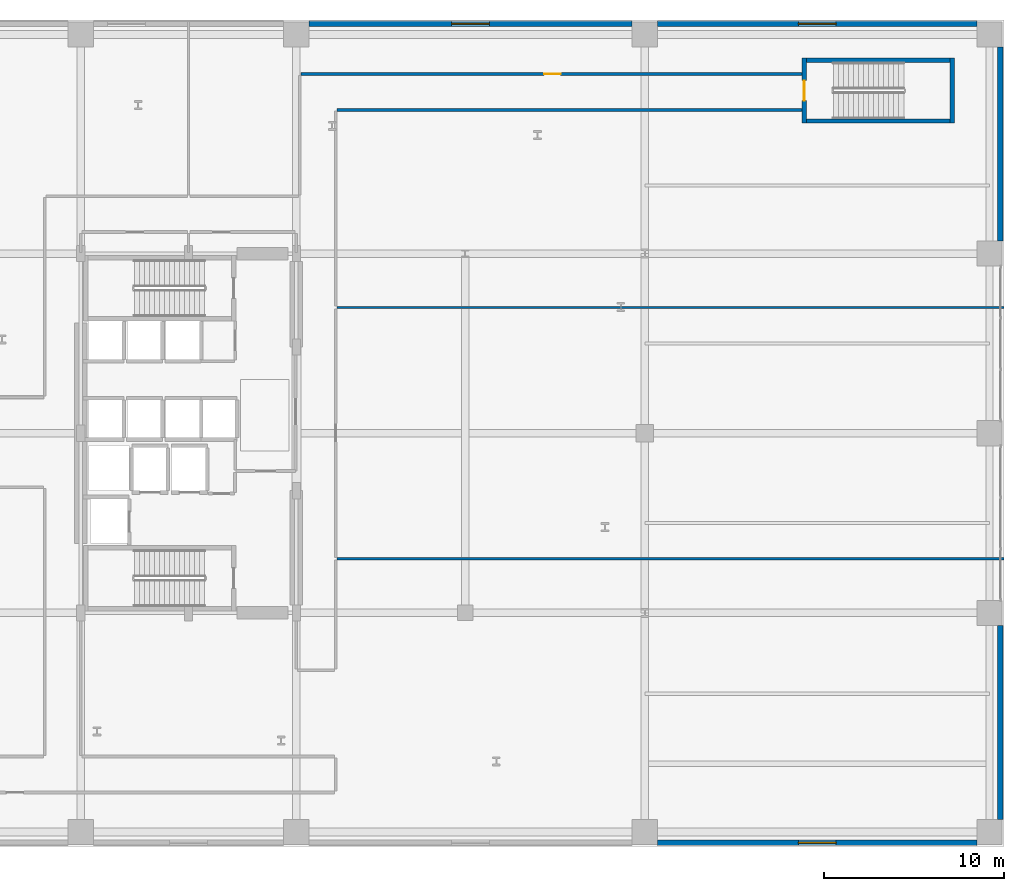
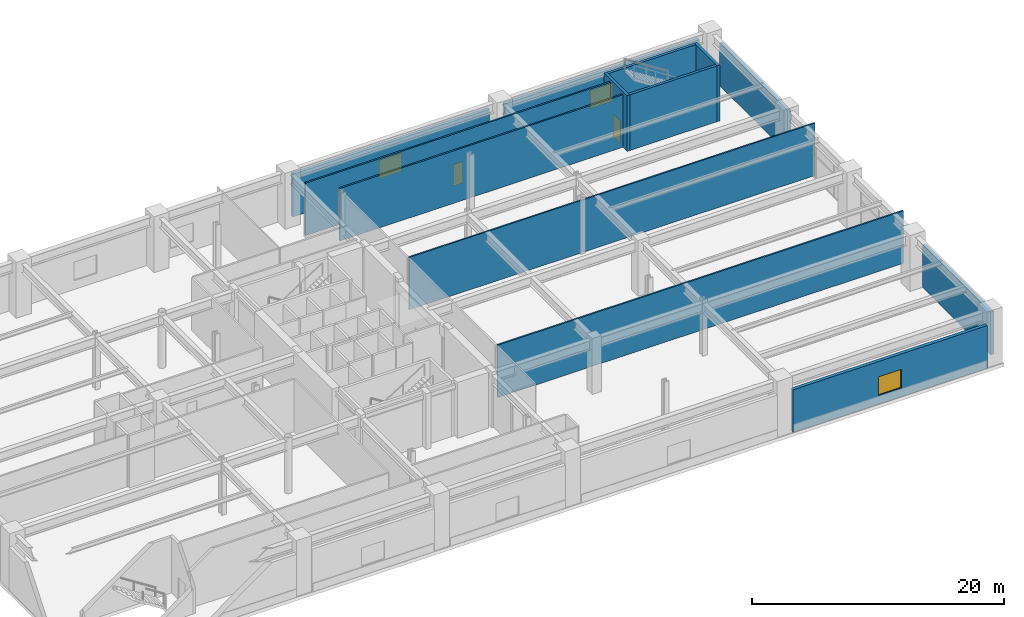
# One storey, part 22 of 28: 13 walls, 3 windows, 2 doors, 5 openings.
"""IFC4 building model written with IfcOpenShell, lengths in metres."""

from ifc_helpers import new_model, si_unit, direction, frame, frame_2d, origin, place, context, subcontext, project, spatial, rectangle, extrude, material, layer, layer_set, type_object, element, fill, save


model = new_model("IFC4")

# Units and contexts
model_context = context("Model", 3, precision=1e-05, world=origin(), true_north=direction((0.0, 1.0)))
body_context = subcontext(model_context, "Body", "Model", "MODEL_VIEW")
ifc_project = project(units=[si_unit("LENGTHUNIT", "METRE"), si_unit("AREAUNIT", "SQUARE_METRE"), si_unit("VOLUMEUNIT", "CUBIC_METRE"), si_unit("PLANEANGLEUNIT", "RADIAN"), si_unit("MASSUNIT", "GRAM", prefix="KILO")], contexts=[model_context])

# Site, building, storey
site_placement = place(None, origin())
site = spatial("IfcSite", under=ifc_project, at=site_placement, CompositionType="ELEMENT")
building_placement = place(site_placement, origin())
building = spatial("IfcBuilding", under=site, at=building_placement, Name="Soratama Intermodal Tower", CompositionType="ELEMENT")
storey_placement = place(building_placement, frame((0.0, 0.0, 6.0)))
storey = spatial("IfcBuildingStorey", under=building, at=storey_placement, Name="L01", CompositionType="ELEMENT", Elevation=6.0)

# Wall, opening, window
ifc_material_1 = material(Name="Concrete f'c 42 MPa", Category="concrete")
ifc_layer_1 = layer(ifc_material_1, 0.300048828125)
ifc_layer_set_1 = layer_set([ifc_layer_1], Name="Concrete f'c 42 MPa")
wall_type_1 = type_object("IfcWallType", Name="EW-STONE-300", PredefinedType="SOLIDWALL", material=ifc_layer_set_1)
wall_1_placement = place(storey_placement, frame((45.300048828125, 47.800048828125, 0.0), z_axis=(0.0, 0.0, 1.0), x_axis=(1.0, 0.0, 0.0)))
wall_1 = element("IfcWall", 1, at=wall_1_placement, inside=storey, type_object=wall_type_1, Name="L01 N Limestone Wall B4", PredefinedType="SOLIDWALL", context=body_context, shape_type="SweptSolid", body=[
    extrude(rectangle(XDim=18.0, YDim=0.300048828125, at=frame_2d((9.0, 0.0))), origin(), (0.0, 0.0, 1.0), 4.135986328125),
])
opening_1_placement = place(wall_1_placement, frame((7.949951171875, 0.0, 0.85009765625)))
opening_1 = element("IfcOpeningElement", 2, at=opening_1_placement, cuts=wall_1, Name="Opening WN-0", PredefinedType="OPENING", context=body_context, shape_type="SweptSolid", body=[
    extrude(rectangle(XDim=2.10009765625, YDim=1.800048828125, at=frame_2d((1.050048828125, 0.89990234375))), frame((0.0, 0.159912109375, 0.0), z_axis=(0.0, -1.0, 0.0), x_axis=(1.0, 0.0, 0.0)), (0.0, 0.0, 1.0), 0.320068359375),
])
ifc_material_2 = material(Name="Double-glazed aluminium window", Category="aluminium")
window_type = type_object("IfcWindowType", Name="WN-POD-2100", PartitioningType="SINGLE_PANEL", PredefinedType="WINDOW", material=ifc_material_2)
window_1_placement = place(opening_1_placement, origin())
window_1 = element("IfcWindow", 3, at=window_1_placement, inside=storey, type_object=window_type, Name="L01 N Window B4", OverallHeight=1.800048828125, OverallWidth=2.10009765625, PartitioningType="SINGLE_PANEL", PredefinedType="WINDOW", context=body_context, shape_type="SweptSolid", body=[
    extrude(rectangle(XDim=2.10009765625, YDim=1.800048828125, at=frame_2d((1.050048828125, 0.89990234375))), frame((0.0, 0.030029296875, 0.0), z_axis=(0.0, -1.0, 0.0), x_axis=(1.0, 0.0, 0.0)), (0.0, 0.0, 1.0), 0.06005859375),
])
fill(opening_1, window_1)

wall_2_placement = place(storey_placement, frame((64.699951171875, 47.800048828125, 0.0), z_axis=(0.0, 0.0, 1.0), x_axis=(1.0, 0.0, 0.0)))
wall_2 = element("IfcWall", 4, at=wall_2_placement, inside=storey, type_object=wall_type_1, Name="L01 N Limestone Wall B5", PredefinedType="SOLIDWALL", context=body_context, shape_type="SweptSolid", body=[
    extrude(rectangle(XDim=17.800048828125, YDim=0.300048828125, at=frame_2d((8.89990234375, 0.0))), origin(), (0.0, 0.0, 1.0), 4.135986328125),
])
opening_2_placement = place(wall_2_placement, frame((7.85009765625, 0.0, 0.85009765625)))
opening_2 = element("IfcOpeningElement", 5, at=opening_2_placement, cuts=wall_2, Name="Opening WN-0", PredefinedType="OPENING", context=body_context, shape_type="SweptSolid", body=[
    extrude(rectangle(XDim=2.10009765625, YDim=1.800048828125, at=frame_2d((1.050048828125, 0.89990234375))), frame((0.0, 0.159912109375, 0.0), z_axis=(0.0, -1.0, 0.0), x_axis=(1.0, 0.0, 0.0)), (0.0, 0.0, 1.0), 0.320068359375),
])
window_2_placement = place(opening_2_placement, origin())
window_2 = element("IfcWindow", 6, at=window_2_placement, inside=storey, type_object=window_type, Name="L01 N Window B5", OverallHeight=1.800048828125, OverallWidth=2.10009765625, PartitioningType="SINGLE_PANEL", PredefinedType="WINDOW", context=body_context, shape_type="SweptSolid", body=[
    extrude(rectangle(XDim=2.10009765625, YDim=1.800048828125, at=frame_2d((1.050048828125, 0.89990234375))), frame((0.0, 0.030029296875, 0.0), z_axis=(0.0, -1.0, 0.0), x_axis=(1.0, 0.0, 0.0)), (0.0, 0.0, 1.0), 0.06005859375),
])
fill(opening_2, window_2)

wall_3_placement = place(storey_placement, frame((82.5, 2.199951171875, 0.0), z_axis=(0.0, 0.0, 1.0), x_axis=(-1.0, 0.0, 0.0)))
wall_3 = element("IfcWall", 7, at=wall_3_placement, inside=storey, type_object=wall_type_1, Name="L01 S Limestone Wall B5", PredefinedType="SOLIDWALL", context=body_context, shape_type="SweptSolid", body=[
    extrude(rectangle(XDim=17.800048828125, YDim=0.300048828125, at=frame_2d((8.89990234375, 0.0))), origin(), (0.0, 0.0, 1.0), 4.135986328125),
])
opening_3_placement = place(wall_3_placement, frame((7.85009765625, 0.0, 0.85009765625)))
opening_3 = element("IfcOpeningElement", 8, at=opening_3_placement, cuts=wall_3, Name="Opening WN-0", PredefinedType="OPENING", context=body_context, shape_type="SweptSolid", body=[
    extrude(rectangle(XDim=2.10009765625, YDim=1.800048828125, at=frame_2d((1.050048828125, 0.89990234375))), frame((0.0, 0.159912109375, 0.0), z_axis=(0.0, -1.0, 0.0), x_axis=(1.0, 0.0, 0.0)), (0.0, 0.0, 1.0), 0.320068359375),
])
window_3_placement = place(opening_3_placement, origin())
window_3 = element("IfcWindow", 9, at=window_3_placement, inside=storey, type_object=window_type, Name="L01 S Window B5", OverallHeight=1.800048828125, OverallWidth=2.10009765625, PartitioningType="SINGLE_PANEL", PredefinedType="WINDOW", context=body_context, shape_type="SweptSolid", body=[
    extrude(rectangle(XDim=2.10009765625, YDim=1.800048828125, at=frame_2d((1.050048828125, 0.89990234375))), frame((0.0, 0.030029296875, 0.0), z_axis=(0.0, -1.0, 0.0), x_axis=(1.0, 0.0, 0.0)), (0.0, 0.0, 1.0), 0.06005859375),
])
fill(opening_3, window_3)

# Walls
for number, where, z_axis, x_axis, name in (
    (10, (83.800048828125, 14.300048828125, 0.0), (0.0, 0.0, 1.0), (0.0, -1.0, 0.0), "L01 Perimeter Wall ES"),
    (11, (83.800048828125, 46.5, 0.0), (0.0, 0.0, 1.0), (0.0, -1.0, 0.0), "L01 Perimeter Wall EN"),
):
    element("IfcWall", number, at=place(storey_placement, frame(where, z_axis=z_axis, x_axis=x_axis)), inside=storey, type_object=wall_type_1, Name=name, PredefinedType="SOLIDWALL", context=body_context, shape_type="SweptSolid", body=[
        extrude(rectangle(XDim=10.800048828125, YDim=0.300048828125, at=frame_2d((5.39990234375, 0.0))), origin(), (0.0, 0.0, 1.0), 4.135986328125),
    ])

# Wall, opening, door
ifc_material_3 = material(Name="Fire-rated gypsum stud partition", Category="concrete")
ifc_layer_2 = layer(ifc_material_3, 0.14990234375)
ifc_layer_set_2 = layer_set([ifc_layer_2], Name="Fire-rated gypsum stud partition")
wall_type_2 = type_object("IfcWallType", Name="IW-PART-R150", PredefinedType="PARTITIONING", material=ifc_layer_set_2)
wall_4_placement = place(storey_placement, frame((44.8701171875, 45.0, 0.0), z_axis=(0.0, 0.0, 1.0), x_axis=(1.0, 0.0, 0.0)))
wall_4 = element("IfcWall", 12, at=wall_4_placement, inside=storey, type_object=wall_type_2, Name="L01 Partition W-L01-TP004", PredefinedType="PARTITIONING", context=body_context, shape_type="SweptSolid", body=[
    extrude(rectangle(XDim=28.009765625, YDim=0.14990234375, at=frame_2d((14.0048828125, 0.0))), origin(), (0.0, 0.0, 1.0), 5.080078125),
])
opening_4_placement = place(wall_4_placement, frame((13.530029296875, 0.0, 0.0)))
opening_4 = element("IfcOpeningElement", 13, at=opening_4_placement, cuts=wall_4, Name="Opening ID-6", PredefinedType="OPENING", context=body_context, shape_type="SweptSolid", body=[
    extrude(rectangle(XDim=0.919921875, YDim=2.1201171875, at=frame_2d((0.4599609375, 1.06005859375))), frame((0.0, 0.0849609375, 0.0), z_axis=(0.0, -1.0, 0.0), x_axis=(1.0, 0.0, 0.0)), (0.0, 0.0, 1.0), 0.169921875),
])
ifc_material_4 = material(Name="Solid hardwood acoustic door", Category="wood")
door_type_1 = type_object("IfcDoorType", Name="DR-ROOM-920", OperationType="NOTDEFINED", PredefinedType="DOOR", material=ifc_material_4)
door_1_placement = place(opening_4_placement, origin())
door_1 = element("IfcDoor", 14, at=door_1_placement, inside=storey, type_object=door_type_1, Name="L01 Door D-L01-TP002", OperationType="SINGLE_SWING_LEFT", OverallHeight=2.1201171875, OverallWidth=0.919921875, PredefinedType="DOOR", context=body_context, shape_type="SweptSolid", body=[
    extrude(rectangle(XDim=0.919921875, YDim=2.1201171875, at=frame_2d((0.4599609375, 1.06005859375))), frame((0.0, 0.02490234375, 0.0), z_axis=(0.0, -1.0, 0.0), x_axis=(1.0, 0.0, 0.0)), (0.0, 0.0, 1.0), 0.050048828125),
])
fill(opening_4, door_1)

# Walls
wall_5_placement = place(storey_placement, frame((72.8798828125, 43.0, 0.0), z_axis=(0.0, 0.0, 1.0), x_axis=(-1.0, 0.0, 0.0)))
element("IfcWall", 15, at=wall_5_placement, inside=storey, type_object=wall_type_2, Name="L01 Partition W-L01-TP005", PredefinedType="PARTITIONING", context=body_context, shape_type="SweptSolid", body=[
    extrude(rectangle(XDim=26.009765625, YDim=0.14990234375, at=frame_2d((13.0048828125, 0.0))), origin(), (0.0, 0.0, 1.0), 5.080078125),
])
ifc_material_5 = material(Name="Fire-rated gypsum stud partition", Category="concrete")
ifc_layer_3 = layer(ifc_material_5, 0.1298828125)
ifc_layer_set_3 = layer_set([ifc_layer_3], Name="Fire-rated gypsum stud partition")
wall_type_3 = type_object("IfcWallType", Name="IW-PART-S130", PredefinedType="PARTITIONING", material=ifc_layer_set_3)
wall_6_placement = place(storey_placement, frame((46.8701171875, 32.0, 0.0), z_axis=(0.0, 0.0, 1.0), x_axis=(1.0, 0.0, 0.0)))
element("IfcWall", 16, at=wall_6_placement, inside=storey, type_object=wall_type_3, Name="L01 Partition W-L01-TP002", PredefinedType="PARTITIONING", context=body_context, shape_type="SweptSolid", body=[
    extrude(rectangle(XDim=37.1298828125, YDim=0.1298828125, at=frame_2d((18.56494140625, 0.0))), origin(), (0.0, 0.0, 1.0), 5.080078125),
])
ifc_material_6 = material(Name="Fire-rated gypsum stud partition", Category="concrete")
ifc_layer_4 = layer(ifc_material_6, 0.139892578125)
ifc_layer_set_4 = layer_set([ifc_layer_4], Name="Fire-rated gypsum stud partition")
wall_type_4 = type_object("IfcWallType", Name="IW-PART-S140", PredefinedType="PARTITIONING", material=ifc_layer_set_4)
wall_7_placement = place(storey_placement, frame((46.8701171875, 18.0, 0.0), z_axis=(0.0, 0.0, 1.0), x_axis=(1.0, 0.0, 0.0)))
element("IfcWall", 17, at=wall_7_placement, inside=storey, type_object=wall_type_4, Name="L01 Partition W-L01-TP001", PredefinedType="PARTITIONING", context=body_context, shape_type="SweptSolid", body=[
    extrude(rectangle(XDim=37.1298828125, YDim=0.139892578125, at=frame_2d((18.56494140625, 0.0))), origin(), (0.0, 0.0, 1.0), 5.080078125),
])

# Wall, opening, door
ifc_material_7 = material(Name="Concrete f'c 56 MPa", Category="concrete")
ifc_layer_5 = layer(ifc_material_7, 0.239990234375)
ifc_layer_set_5 = layer_set([ifc_layer_5], Name="Concrete f'c 56 MPa")
wall_type_5 = type_object("IfcWallType", Name="SW-STAIR-240", PredefinedType="SHEAR", material=ifc_layer_set_5)
wall_8_placement = place(storey_placement, frame((72.8798828125, 42.260009765625, 0.0), z_axis=(0.0, 0.0, 1.0), x_axis=(0.0, 1.0, 0.0)))
wall_8 = element("IfcWall", 18, at=wall_8_placement, inside=storey, type_object=wall_type_5, Name="L01 ST-4 Shaft Shear Wall W", PredefinedType="SHEAR", context=body_context, shape_type="SweptSolid", body=[
    extrude(rectangle(XDim=3.6298828125, YDim=0.239990234375, at=frame_2d((1.81494140625, 0.0))), origin(), (0.0, 0.0, 1.0), 5.39990234375),
])
opening_5_placement = place(wall_8_placement, frame((1.2548828125, 0.0, 0.0)))
opening_5 = element("IfcOpeningElement", 19, at=opening_5_placement, cuts=wall_8, Name="Opening SD-1", PredefinedType="OPENING", context=body_context, shape_type="SweptSolid", body=[
    extrude(rectangle(XDim=1.1201171875, YDim=2.14990234375, at=frame_2d((0.56005859375, 1.074951171875))), frame((0.0, 0.1298828125, 0.0), z_axis=(0.0, -1.0, 0.0), x_axis=(1.0, 0.0, 0.0)), (0.0, 0.0, 1.0), 0.260009765625),
])
ifc_material_8 = material(Name="Steel fire door", Category="steel")
door_type_2 = type_object("IfcDoorType", Name="DR-STAIR-FD90", OperationType="NOTDEFINED", PredefinedType="DOOR", material=ifc_material_8)
door_2_placement = place(opening_5_placement, origin())
door_2 = element("IfcDoor", 20, at=door_2_placement, inside=storey, type_object=door_type_2, Name="L01 ST-4 Exit Stair Door", OperationType="SINGLE_SWING_RIGHT", OverallHeight=2.14990234375, OverallWidth=1.1201171875, PredefinedType="DOOR", context=body_context, shape_type="SweptSolid", body=[
    extrude(rectangle(XDim=1.1201171875, YDim=2.14990234375, at=frame_2d((0.56005859375, 1.074951171875))), frame((0.0, 0.02490234375, 0.0), z_axis=(0.0, -1.0, 0.0), x_axis=(1.0, 0.0, 0.0)), (0.0, 0.0, 1.0), 0.050048828125),
])
fill(opening_5, door_2)

# Walls
wall_9_placement = place(storey_placement, frame((81.1201171875, 42.260009765625, 0.0), z_axis=(0.0, 0.0, 1.0), x_axis=(0.0, 1.0, 0.0)))
element("IfcWall", 21, at=wall_9_placement, inside=storey, type_object=wall_type_5, Name="L01 ST-4 Shaft Shear Wall E", PredefinedType="SHEAR", context=body_context, shape_type="SweptSolid", body=[
    extrude(rectangle(XDim=3.6298828125, YDim=0.239990234375, at=frame_2d((1.81494140625, 0.0))), origin(), (0.0, 0.0, 1.0), 5.39990234375),
])
for number, where, z_axis, x_axis, name in (
    (22, (73.0, 42.3798828125, 0.0), (0.0, 0.0, 1.0), (1.0, 0.0, 0.0), "L01 ST-4 Shaft Shear Wall S"),
    (23, (73.0, 45.77001953125, 0.0), (0.0, 0.0, 1.0), (1.0, 0.0, 0.0), "L01 ST-4 Shaft Shear Wall N"),
):
    element("IfcWall", number, at=place(storey_placement, frame(where, z_axis=z_axis, x_axis=x_axis)), inside=storey, type_object=wall_type_5, Name=name, PredefinedType="SHEAR", context=body_context, shape_type="SweptSolid", body=[
        extrude(rectangle(XDim=8.0, YDim=0.239990234375, at=frame_2d((4.0, 0.0))), origin(), (0.0, 0.0, 1.0), 5.39990234375),
    ])

save(model, "model.ifc")
